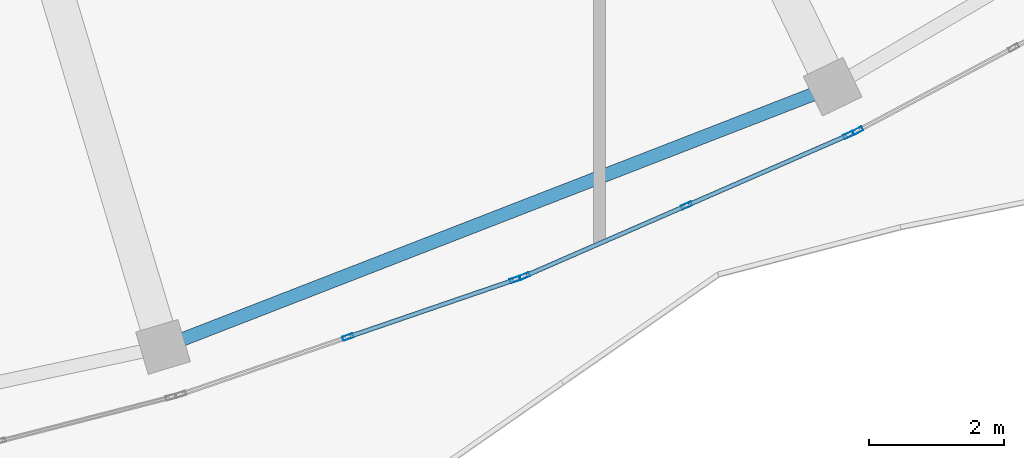
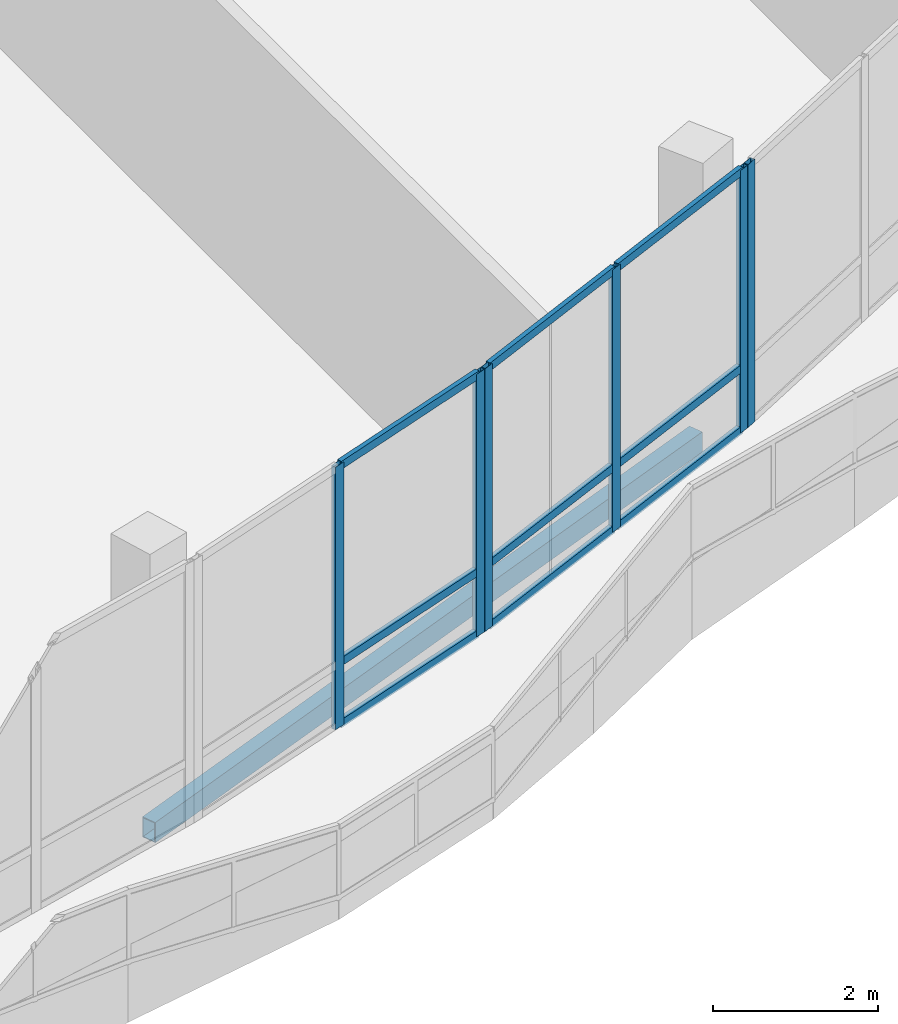
# One storey, part 46 of 184: 15 members, 1 beam, 3 elements without a shape of their own.
"""IFC4 building model written with IfcOpenShell, lengths in metres."""

from ifc_helpers import new_model, si_unit, direction, frame, origin, origin_2d, place, context, subcontext, project, spatial, hollow_rectangle, extrude, material, material_profile, profile_set, type_object, element, aggregate, save


model = new_model("IFC4")

# Units and contexts
model_context = context("Model", 3, precision=1e-05, world=origin(), true_north=direction((0.0, 1.0)))
body_context = subcontext(model_context, "Body", "Model", "MODEL_VIEW")
ifc_project = project(units=[si_unit("LENGTHUNIT", "METRE"), si_unit("AREAUNIT", "SQUARE_METRE"), si_unit("VOLUMEUNIT", "CUBIC_METRE"), si_unit("PLANEANGLEUNIT", "RADIAN"), si_unit("MASSUNIT", "GRAM", prefix="KILO")], contexts=[model_context])

# Site, building, storey
site_placement = place(None, origin())
site = spatial("IfcSite", under=ifc_project, at=site_placement, CompositionType="ELEMENT")
building_placement = place(site_placement, origin())
building = spatial("IfcBuilding", under=site, at=building_placement, Name="Selatvlak General Hospital", CompositionType="ELEMENT")
storey_placement = place(building_placement, frame((0.0, 0.0, 15.0)))
storey = spatial("IfcBuildingStorey", under=building, at=storey_placement, Name="L03", CompositionType="ELEMENT", Elevation=15.0)

# Beam
ifc_material_1 = material(Name="Steel S355", Category="steel")
ifc_material_profile_1 = material_profile(ifc_material_1, hollow_rectangle(XDim=0.199951171875, YDim=0.300048828125, WallThickness=0.011962890625, at=origin_2d()), Name="RHS 300x200x12")
ifc_profile_set_1 = profile_set([ifc_material_profile_1], Name="Steel S355")
beam_type = type_object("IfcBeamType", Name="BM-SP3", PredefinedType="SPANDREL", material=ifc_profile_set_1)
beam_placement = place(storey_placement, frame((75.155029296875, 15.556884765625, -0.489990234375), z_axis=(0.932089721368, 0.362227485596, 0.0), x_axis=(-0.362227485596, 0.932089721368, 0.0)))
element("IfcBeam", 1, at=beam_placement, inside=storey, type_object=beam_type, Name="Beam BMR-L03-1495", PredefinedType="SPANDREL", context=body_context, shape_type="SweptSolid", body=[
    extrude(hollow_rectangle(XDim=0.199951171875, YDim=0.300048828125, WallThickness=0.011962890625, at=origin_2d()), origin(), (0.0, 0.0, 1.0), 10.609375),
])

# Curtain wall, member
ifc_material_2 = material(Name="Solar-control Low-E double glazing", Category="glass")
curtain_wall_type_1 = type_object("IfcCurtainWallType", Name="CW-CW-01", PredefinedType="USERDEFINED", material=ifc_material_2)
curtain_wall_1_placement = place(storey_placement, origin())
curtain_wall_1 = element("IfcCurtainWall", 2, at=curtain_wall_1_placement, inside=storey, type_object=curtain_wall_type_1, Name="Glazed facade curtain wall CW-L03-0421", ObjectType="UNITISED CURTAIN WALL", PredefinedType="USERDEFINED")
ifc_material_3 = material(Name="Dark anodised aluminium mullion", Category="aluminium")
ifc_material_profile_2 = material_profile(ifc_material_3, hollow_rectangle(XDim=0.06494140625, YDim=0.159912109375, WallThickness=0.00390625, at=origin_2d()), Name="AL-MUL 65x160x4")
ifc_profile_set_2 = profile_set([ifc_material_profile_2], Name="Dark anodised aluminium mullion")
member_type_1 = type_object("IfcMemberType", Name="CWM-01", PredefinedType="MULLION", material=ifc_profile_set_2)
member_1_placement = place(storey_placement, frame((85.41259765625, 18.748291015625, 0.0), z_axis=(0.0, 0.0, 1.0), x_axis=(0.470450719515, -0.882426269162, 0.0)))
member_1 = element("IfcMember", 3, at=member_1_placement, type_object=member_type_1, Name="CW-01 mullion 3", PredefinedType="MULLION", context=body_context, shape_type="SweptSolid", body=[
    extrude(hollow_rectangle(XDim=0.06494140625, YDim=0.159912109375, WallThickness=0.00390625, at=origin_2d()), origin(), (0.0, 0.0, 1.0), 3.89501953125),
])
aggregate(curtain_wall_1, [member_1])

# Curtain wall, members
curtain_wall_type_2 = type_object("IfcCurtainWallType", Name="CW-CW-02", PredefinedType="USERDEFINED", material=ifc_material_2)
curtain_wall_2_placement = place(storey_placement, origin())
curtain_wall_2 = element("IfcCurtainWall", 4, at=curtain_wall_2_placement, inside=storey, type_object=curtain_wall_type_2, Name="Glazed facade curtain wall CW-L03-0422", ObjectType="UNITISED CURTAIN WALL", PredefinedType="USERDEFINED")
member_2_placement = place(storey_placement, frame((85.28125, 18.68701171875, 0.0), z_axis=(0.0, 0.0, 1.0), x_axis=(0.399389828763, -0.916781197822, 0.0)))
member_2 = element("IfcMember", 5, at=member_2_placement, type_object=member_type_1, Name="CW-02 mullion 1", PredefinedType="MULLION", context=body_context, shape_type="SweptSolid", body=[
    extrude(hollow_rectangle(XDim=0.06494140625, YDim=0.159912109375, WallThickness=0.00390625, at=origin_2d()), origin(), (0.0, 0.0, 1.0), 3.89501953125),
])
member_3_placement = place(storey_placement, frame((82.886962890625, 17.64404296875, 0.0), z_axis=(0.0, 0.0, 1.0), x_axis=(0.399389828763, -0.916781197822, 0.0)))
member_3 = element("IfcMember", 6, at=member_3_placement, type_object=member_type_1, Name="CW-02 mullion 2", PredefinedType="MULLION", context=body_context, shape_type="SweptSolid", body=[
    extrude(hollow_rectangle(XDim=0.06494140625, YDim=0.159912109375, WallThickness=0.00390625, at=origin_2d()), origin(), (0.0, 0.0, 1.0), 3.89501953125),
])
member_4_placement = place(storey_placement, frame((80.49267578125, 16.60107421875, 0.0), z_axis=(0.0, 0.0, 1.0), x_axis=(0.399389828763, -0.916781197822, 0.0)))
member_4 = element("IfcMember", 7, at=member_4_placement, type_object=member_type_1, Name="CW-02 mullion 3", PredefinedType="MULLION", context=body_context, shape_type="SweptSolid", body=[
    extrude(hollow_rectangle(XDim=0.06494140625, YDim=0.159912109375, WallThickness=0.00390625, at=origin_2d()), origin(), (0.0, 0.0, 1.0), 3.89501953125),
])

curtain_wall_3_placement = place(storey_placement, origin())
curtain_wall_3 = element("IfcCurtainWall", 8, at=curtain_wall_3_placement, inside=storey, type_object=curtain_wall_type_1, Name="Glazed facade curtain wall CW-L03-0423", ObjectType="UNITISED CURTAIN WALL", PredefinedType="USERDEFINED")
member_5_placement = place(storey_placement, frame((80.357177734375, 16.550537109375, 0.0), z_axis=(0.0, 0.0, 1.0), x_axis=(0.324609481996, -0.945848129563, 0.0)))
member_5 = element("IfcMember", 9, at=member_5_placement, type_object=member_type_1, Name="CW-01 mullion 1", PredefinedType="MULLION", context=body_context, shape_type="SweptSolid", body=[
    extrude(hollow_rectangle(XDim=0.06494140625, YDim=0.159912109375, WallThickness=0.00390625, at=origin_2d()), origin(), (0.0, 0.0, 1.0), 3.89501953125),
])
member_6_placement = place(storey_placement, frame((77.886474609375, 15.702392578125, 0.0), z_axis=(0.0, 0.0, 1.0), x_axis=(0.324609481996, -0.945848129563, 0.0)))
member_6 = element("IfcMember", 10, at=member_6_placement, type_object=member_type_1, Name="CW-01 mullion 2", PredefinedType="MULLION", context=body_context, shape_type="SweptSolid", body=[
    extrude(hollow_rectangle(XDim=0.06494140625, YDim=0.159912109375, WallThickness=0.00390625, at=origin_2d()), origin(), (0.0, 0.0, 1.0), 3.89501953125),
])

# Member
ifc_material_profile_3 = material_profile(ifc_material_3, hollow_rectangle(XDim=0.06494140625, YDim=0.1201171875, WallThickness=0.00390625, at=origin_2d()), Name="AL-TRN 65x120x4")
ifc_profile_set_3 = profile_set([ifc_material_profile_3], Name="Dark anodised aluminium mullion")
member_type_2 = type_object("IfcMemberType", Name="CWT-01", PredefinedType="USERDEFINED", material=ifc_profile_set_3)
member_7_placement = place(storey_placement, frame((85.25146484375, 18.674072265625, 0.032470703125), z_axis=(-0.916783283097, -0.399385042077, 0.0), x_axis=(0.399385042077, -0.916783283097, 0.0)))
member_7 = element("IfcMember", 11, at=member_7_placement, type_object=member_type_2, Name="CW-02 transom 1.1", ObjectType="TRANSOM", PredefinedType="USERDEFINED", context=body_context, shape_type="SweptSolid", body=[
    extrude(hollow_rectangle(XDim=0.06494140625, YDim=0.1201171875, WallThickness=0.00390625, at=origin_2d()), origin(), (0.0, 0.0, 1.0), 2.546630859375),
])

member_8_placement = place(storey_placement, frame((85.25146484375, 18.674072265625, 0.949951171875), z_axis=(-0.916783283097, -0.399385042077, 0.0), x_axis=(0.399385042077, -0.916783283097, 0.0)))
member_8 = element("IfcMember", 12, at=member_8_placement, type_object=member_type_2, Name="CW-02 transom 1.2", ObjectType="TRANSOM", PredefinedType="USERDEFINED", context=body_context, shape_type="SweptSolid", body=[
    extrude(hollow_rectangle(XDim=0.06494140625, YDim=0.1201171875, WallThickness=0.00390625, at=origin_2d()), origin(), (0.0, 0.0, 1.0), 2.546630859375),
])

member_9_placement = place(storey_placement, frame((85.25146484375, 18.674072265625, 3.862548828125), z_axis=(-0.916783283097, -0.399385042077, 0.0), x_axis=(0.399385042077, -0.916783283097, 0.0)))
member_9 = element("IfcMember", 13, at=member_9_placement, type_object=member_type_2, Name="CW-02 transom 1.3", ObjectType="TRANSOM", PredefinedType="USERDEFINED", context=body_context, shape_type="SweptSolid", body=[
    extrude(hollow_rectangle(XDim=0.06494140625, YDim=0.1201171875, WallThickness=0.00390625, at=origin_2d()), origin(), (0.0, 0.0, 1.0), 2.546630859375),
])

member_10_placement = place(storey_placement, frame((82.857177734375, 17.631103515625, 0.032470703125), z_axis=(-0.916767989368, -0.399420146801, 0.0), x_axis=(0.399420146801, -0.916767989368, 0.0)))
member_10 = element("IfcMember", 14, at=member_10_placement, type_object=member_type_2, Name="CW-02 transom 2.1", ObjectType="TRANSOM", PredefinedType="USERDEFINED", context=body_context, shape_type="SweptSolid", body=[
    extrude(hollow_rectangle(XDim=0.06494140625, YDim=0.1201171875, WallThickness=0.00390625, at=origin_2d()), origin(), (0.0, 0.0, 1.0), 2.54638671875),
])

member_11_placement = place(storey_placement, frame((82.857177734375, 17.631103515625, 0.949951171875), z_axis=(-0.916767989368, -0.399420146801, 0.0), x_axis=(0.399420146801, -0.916767989368, 0.0)))
member_11 = element("IfcMember", 15, at=member_11_placement, type_object=member_type_2, Name="CW-02 transom 2.2", ObjectType="TRANSOM", PredefinedType="USERDEFINED", context=body_context, shape_type="SweptSolid", body=[
    extrude(hollow_rectangle(XDim=0.06494140625, YDim=0.1201171875, WallThickness=0.00390625, at=origin_2d()), origin(), (0.0, 0.0, 1.0), 2.54638671875),
])

member_12_placement = place(storey_placement, frame((82.857177734375, 17.631103515625, 3.862548828125), z_axis=(-0.916767989368, -0.399420146801, 0.0), x_axis=(0.399420146801, -0.916767989368, 0.0)))
member_12 = element("IfcMember", 16, at=member_12_placement, type_object=member_type_2, Name="CW-02 transom 2.3", ObjectType="TRANSOM", PredefinedType="USERDEFINED", context=body_context, shape_type="SweptSolid", body=[
    extrude(hollow_rectangle(XDim=0.06494140625, YDim=0.1201171875, WallThickness=0.00390625, at=origin_2d()), origin(), (0.0, 0.0, 1.0), 2.54638671875),
])

aggregate(curtain_wall_2, [member_2, member_3, member_4, member_7, member_8, member_9, member_10, member_11, member_12])

member_13_placement = place(storey_placement, frame((80.326416015625, 16.539794921875, 0.032470703125), z_axis=(-0.945866939821, -0.324554667434, 0.0), x_axis=(0.324554667434, -0.945866939821, 0.0)))
member_13 = element("IfcMember", 17, at=member_13_placement, type_object=member_type_2, Name="CW-01 transom 1.1", ObjectType="TRANSOM", PredefinedType="USERDEFINED", context=body_context, shape_type="SweptSolid", body=[
    extrude(hollow_rectangle(XDim=0.06494140625, YDim=0.1201171875, WallThickness=0.00390625, at=origin_2d()), origin(), (0.0, 0.0, 1.0), 2.547119140625),
])

member_14_placement = place(storey_placement, frame((80.326416015625, 16.539794921875, 0.949951171875), z_axis=(-0.945866939821, -0.324554667434, 0.0), x_axis=(0.324554667434, -0.945866939821, 0.0)))
member_14 = element("IfcMember", 18, at=member_14_placement, type_object=member_type_2, Name="CW-01 transom 1.2", ObjectType="TRANSOM", PredefinedType="USERDEFINED", context=body_context, shape_type="SweptSolid", body=[
    extrude(hollow_rectangle(XDim=0.06494140625, YDim=0.1201171875, WallThickness=0.00390625, at=origin_2d()), origin(), (0.0, 0.0, 1.0), 2.547119140625),
])

member_15_placement = place(storey_placement, frame((80.326416015625, 16.539794921875, 3.862548828125), z_axis=(-0.945866939821, -0.324554667434, 0.0), x_axis=(0.324554667434, -0.945866939821, 0.0)))
member_15 = element("IfcMember", 19, at=member_15_placement, type_object=member_type_2, Name="CW-01 transom 1.3", ObjectType="TRANSOM", PredefinedType="USERDEFINED", context=body_context, shape_type="SweptSolid", body=[
    extrude(hollow_rectangle(XDim=0.06494140625, YDim=0.1201171875, WallThickness=0.00390625, at=origin_2d()), origin(), (0.0, 0.0, 1.0), 2.547119140625),
])

aggregate(curtain_wall_3, [member_5, member_6, member_13, member_14, member_15])

save(model, "model.ifc")
